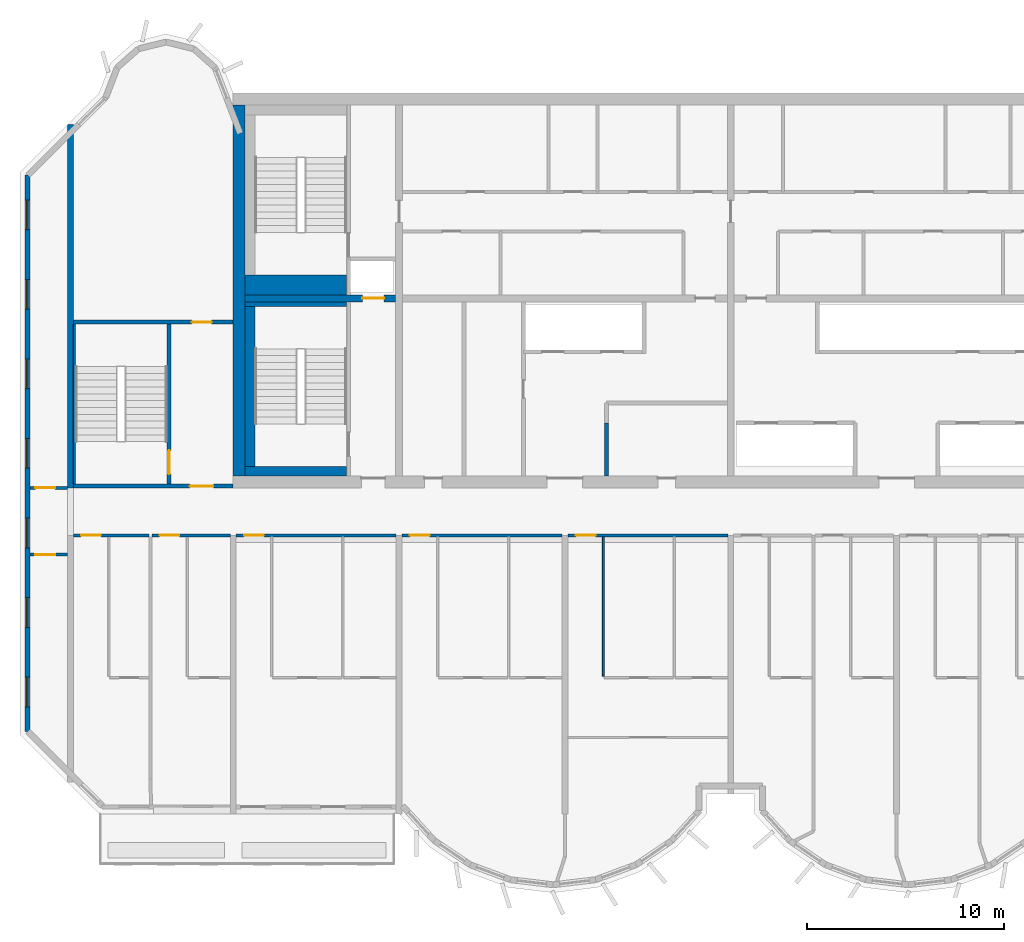
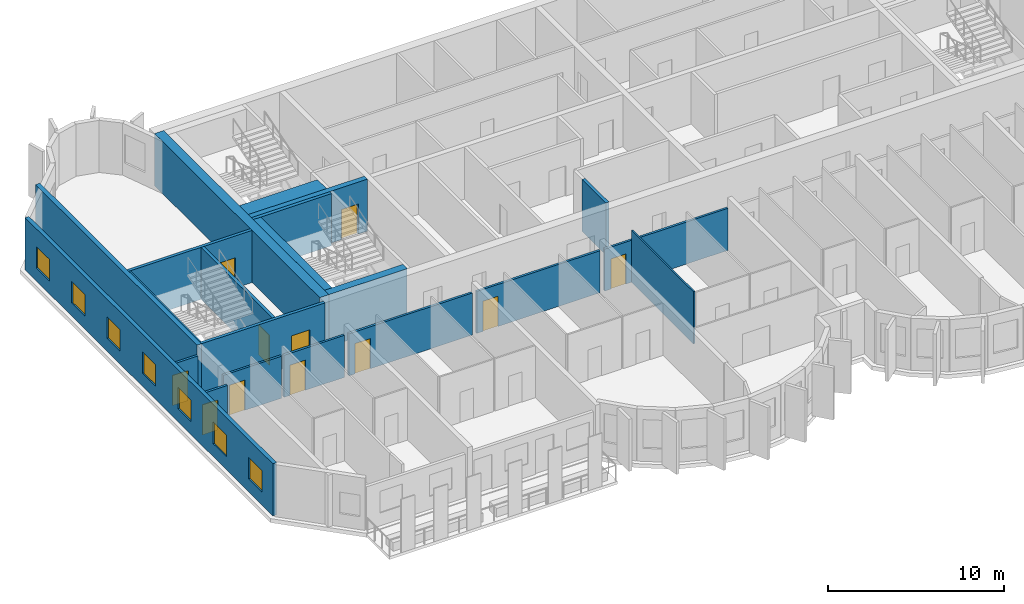
# One storey, part 3 of 12: 21 walls, 11 doors, 7 windows, 18 openings.
"""IFC4 building model written with IfcOpenShell, lengths in metres."""

from ifc_helpers import new_model, si_unit, direction, frame, frame_2d, origin, place, context, subcontext, project, spatial, rectangle, extrude, source, transform, mapped, material, layer, layer_set, type_object, element, fill, save


model = new_model("IFC4")

# Units and contexts
model_context = context("Model", 3, precision=1e-05, world=origin(), true_north=direction((0.0, 1.0)))
body_context = subcontext(model_context, "Body", "Model", "MODEL_VIEW")
ifc_project = project(units=[si_unit("LENGTHUNIT", "METRE"), si_unit("AREAUNIT", "SQUARE_METRE"), si_unit("VOLUMEUNIT", "CUBIC_METRE"), si_unit("PLANEANGLEUNIT", "RADIAN"), si_unit("MASSUNIT", "GRAM", prefix="KILO")], contexts=[model_context])

# Site, building, storey
site_placement = place(None, origin())
site = spatial("IfcSite", under=ifc_project, at=site_placement, CompositionType="ELEMENT")
building_placement = place(site_placement, origin())
building = spatial("IfcBuilding", under=site, at=building_placement, Name="Vanashikhar Sky Hotel", CompositionType="ELEMENT")
storey_placement = place(building_placement, frame((0.0, 0.0, 221.800048828125)))
storey = spatial("IfcBuildingStorey", under=building, at=storey_placement, Name="L53", CompositionType="ELEMENT", Elevation=221.800048828125)

# Wall
ifc_material_1 = material(Name="Concrete M60", Category="concrete")
ifc_layer_1 = layer(ifc_material_1, 0.60009765625)
ifc_layer_set_1 = layer_set([ifc_layer_1], Name="RC core shell wall 600 Concrete M60")
wall_type_1 = type_object("IfcWallType", Name="RC core shell wall 600 Concrete M60", PredefinedType="SHEAR", material=ifc_layer_set_1)
shared_shape_1 = source(origin(), body_context, "Body", "SweptSolid", [
    extrude(rectangle(XDim=18.7998046875, YDim=0.60009765625, at=frame_2d((9.39990234375, 0.0))), origin(), (0.0, 0.0, 1.0), 3.619873046875),
])
wall_1_placement = place(storey_placement, frame((25.5, 22.60009765625, 0.0), z_axis=(0.0, 0.0, 1.0), x_axis=(0.0, 1.0, 0.0)))
element("IfcWall", 1, at=wall_1_placement, inside=storey, type_object=wall_type_1, Name="KW-L53-KW", PredefinedType="SHEAR", context=body_context, shape_type="MappedRepresentation", body=[
    mapped(shared_shape_1, transform((0.0, 0.0, 0.0), scale=1.0)),
])

# Wall, opening, door
ifc_layer_2 = layer(ifc_material_1, 0.35009765625)
ifc_layer_set_2 = layer_set([ifc_layer_2], Name="RC core inner wall 350 Concrete M60")
wall_type_2 = type_object("IfcWallType", Name="RC core inner wall 350 Concrete M60", PredefinedType="SHEAR", material=ifc_layer_set_2)
shared_shape_2 = source(origin(), body_context, "Body", "SweptSolid", [
    extrude(rectangle(XDim=7.625, YDim=0.35009765625, at=frame_2d((3.8125, 0.0))), origin(), (0.0, 0.0, 1.0), 3.619873046875),
])
wall_2_placement = place(storey_placement, frame((25.800048828125, 31.60009765625, 0.0), z_axis=(0.0, 0.0, 1.0), x_axis=(1.0, 0.0, 0.0)))
wall_2 = element("IfcWall", 2, at=wall_2_placement, inside=storey, type_object=wall_type_2, Name="KW-L53-KY1", PredefinedType="SHEAR", context=body_context, shape_type="MappedRepresentation", body=[
    mapped(shared_shape_2, transform((0.0, 0.0, 0.0), scale=1.0)),
])
shared_shape_3 = source(origin(), body_context, "Body", "SweptSolid", [
    extrude(rectangle(XDim=1.10009765625, YDim=2.10009765625, at=frame_2d((0.550048828125, 1.050048828125))), frame((0.0, 0.18505859375, 0.0), z_axis=(0.0, -1.0, 0.0), x_axis=(1.0, 0.0, 0.0)), (0.0, 0.0, 1.0), 0.3701171875),
])
opening_1_placement = place(wall_2_placement, frame((5.93798828125, 0.0, 0.0)))
opening_1 = element("IfcOpeningElement", 3, at=opening_1_placement, cuts=wall_2, Name="Opening LD", PredefinedType="OPENING", context=body_context, shape_type="MappedRepresentation", body=[
    mapped(shared_shape_3, transform((0.0, 0.0, 0.0), scale=1.0)),
])
ifc_material_2 = material(Name="Stainless steel", Category="steel")
door_type_1 = type_object("IfcDoorType", Name="Lift landing door 1100", OperationType="NOTDEFINED", PredefinedType="DOOR", material=ifc_material_2)
shared_shape_4 = source(origin(), body_context, "Body", "SweptSolid", [
    extrude(rectangle(XDim=1.10009765625, YDim=2.10009765625, at=frame_2d((0.550048828125, 1.050048828125))), frame((0.0, 0.02490234375, 0.0), z_axis=(0.0, -1.0, 0.0), x_axis=(1.0, 0.0, 0.0)), (0.0, 0.0, 1.0), 0.050048828125),
])
door_1_placement = place(opening_1_placement, origin())
door_1 = element("IfcDoor", 4, at=door_1_placement, inside=storey, type_object=door_type_1, Name="Lift landing door 1100", OperationType="SLIDING_TO_LEFT", OverallHeight=2.10009765625, OverallWidth=1.10009765625, PredefinedType="DOOR", context=body_context, shape_type="MappedRepresentation", body=[
    mapped(shared_shape_4, transform((0.0, 0.0, 0.0), scale=1.0)),
])
fill(opening_1, door_1)

# Wall
ifc_layer_3 = layer(ifc_material_1, 0.300048828125)
ifc_layer_set_3 = layer_set([ifc_layer_3], Name="RC shear wall 300 Concrete M60")
wall_type_3 = type_object("IfcWallType", Name="RC shear wall 300 Concrete M60", PredefinedType="SHEAR", material=ifc_layer_set_3)
shared_shape_5 = source(origin(), body_context, "Body", "SweptSolid", [
    extrude(rectangle(XDim=18.39990234375, YDim=0.300048828125, at=frame_2d((9.199951171875, 0.0))), origin(), (0.0, 0.0, 1.0), 3.619873046875),
])
wall_3_placement = place(storey_placement, frame((16.949951171875, 22.0, 0.0), z_axis=(0.0, 0.0, 1.0), x_axis=(0.0, 1.0, 0.0)))
element("IfcWall", 5, at=wall_3_placement, inside=storey, type_object=wall_type_3, Name="CW-L53-XW03-2", PredefinedType="SHEAR", context=body_context, shape_type="MappedRepresentation", body=[
    mapped(shared_shape_5, transform((0.0, 0.0, 0.0), scale=1.0)),
])

# Wall, openings, windows
ifc_material_3 = material(Name="Concrete M50", Category="concrete")
ifc_layer_4 = layer(ifc_material_3, 0.25)
ifc_layer_set_4 = layer_set([ifc_layer_4], Name="Rear and end board-marked wall 250")
wall_type_4 = type_object("IfcWallType", Name="Rear and end board-marked wall 250", PredefinedType="SOLIDWALL", material=ifc_layer_set_4)
shared_shape_6 = source(origin(), body_context, "Body", "SweptSolid", [
    extrude(rectangle(XDim=28.189453125, YDim=0.25, at=frame_2d((14.0947265625, 0.0))), origin(), (0.0, 0.0, 1.0), 3.619873046875),
])
wall_4_placement = place(storey_placement, frame((14.77490234375, 37.8447265625, 0.0), z_axis=(0.0, 0.0, 1.0), x_axis=(0.0, -1.0, 0.0)))
wall_4 = element("IfcWall", 6, at=wall_4_placement, inside=storey, type_object=wall_type_4, Name="End board-marked wall", PredefinedType="SOLIDWALL", context=body_context, shape_type="MappedRepresentation", body=[
    mapped(shared_shape_6, transform((0.0, 0.0, 0.0), scale=1.0)),
])
shared_shape_7 = source(origin(), body_context, "Body", "SweptSolid", [
    extrude(rectangle(XDim=1.5, YDim=1.5, at=frame_2d((0.75, 0.75))), frame((0.0, 0.135009765625, 0.0), z_axis=(0.0, -1.0, 0.0), x_axis=(1.0, 0.0, 0.0)), (0.0, 0.0, 1.0), 0.27001953125),
])
opening_2_placement = place(wall_4_placement, frame((1.263427734375, 0.0, 0.89990234375)))
opening_2 = element("IfcOpeningElement", 7, at=opening_2_placement, cuts=wall_4, Name="Opening WN-1", PredefinedType="OPENING", context=body_context, shape_type="MappedRepresentation", body=[
    mapped(shared_shape_7, transform((0.0, 0.0, 0.0), scale=1.0)),
])
opening_3_placement = place(wall_4_placement, frame((5.29052734375, 0.0, 0.89990234375)))
opening_3 = element("IfcOpeningElement", 8, at=opening_3_placement, cuts=wall_4, Name="Opening WN-1", PredefinedType="OPENING", context=body_context, shape_type="MappedRepresentation", body=[
    mapped(shared_shape_7, transform((0.0, 0.0, 0.0), scale=1.0)),
])
opening_4_placement = place(wall_4_placement, frame((9.317626953125, 0.0, 0.89990234375)))
opening_4 = element("IfcOpeningElement", 9, at=opening_4_placement, cuts=wall_4, Name="Opening WN-1", PredefinedType="OPENING", context=body_context, shape_type="MappedRepresentation", body=[
    mapped(shared_shape_7, transform((0.0, 0.0, 0.0), scale=1.0)),
])
opening_5_placement = place(wall_4_placement, frame((13.3447265625, 0.0, 0.89990234375)))
opening_5 = element("IfcOpeningElement", 10, at=opening_5_placement, cuts=wall_4, Name="Opening WN-1", PredefinedType="OPENING", context=body_context, shape_type="MappedRepresentation", body=[
    mapped(shared_shape_7, transform((0.0, 0.0, 0.0), scale=1.0)),
])
opening_6_placement = place(wall_4_placement, frame((17.371826171875, 0.0, 0.89990234375)))
opening_6 = element("IfcOpeningElement", 11, at=opening_6_placement, cuts=wall_4, Name="Opening WN-1", PredefinedType="OPENING", context=body_context, shape_type="MappedRepresentation", body=[
    mapped(shared_shape_7, transform((0.0, 0.0, 0.0), scale=1.0)),
])
opening_7_placement = place(wall_4_placement, frame((21.398681640625, 0.0, 0.89990234375)))
opening_7 = element("IfcOpeningElement", 12, at=opening_7_placement, cuts=wall_4, Name="Opening WN-1", PredefinedType="OPENING", context=body_context, shape_type="MappedRepresentation", body=[
    mapped(shared_shape_7, transform((0.0, 0.0, 0.0), scale=1.0)),
])
opening_8_placement = place(wall_4_placement, frame((25.42578125, 0.0, 0.89990234375)))
opening_8 = element("IfcOpeningElement", 13, at=opening_8_placement, cuts=wall_4, Name="Opening WN-1", PredefinedType="OPENING", context=body_context, shape_type="MappedRepresentation", body=[
    mapped(shared_shape_7, transform((0.0, 0.0, 0.0), scale=1.0)),
])
ifc_material_4 = material(Name="Glass", Category="glass")
window_type = type_object("IfcWindowType", Name="Window 1500 x 1500", PartitioningType="SINGLE_PANEL", PredefinedType="WINDOW", material=ifc_material_4)
shared_shape_8 = source(origin(), body_context, "Body", "SweptSolid", [
    extrude(rectangle(XDim=1.5, YDim=1.5, at=frame_2d((0.75, 0.75))), frame((0.0, 0.030029296875, 0.0), z_axis=(0.0, -1.0, 0.0), x_axis=(1.0, 0.0, 0.0)), (0.0, 0.0, 1.0), 0.06005859375),
])
window_1_placement = place(opening_2_placement, origin())
window_1 = element("IfcWindow", 14, at=window_1_placement, inside=storey, type_object=window_type, Name="Window WN-1", OverallHeight=1.5, OverallWidth=1.5, PartitioningType="SINGLE_PANEL", PredefinedType="WINDOW", context=body_context, shape_type="MappedRepresentation", body=[
    mapped(shared_shape_8, transform((0.0, 0.0, 0.0), scale=1.0)),
])
fill(opening_2, window_1)
window_2_placement = place(opening_3_placement, origin())
window_2 = element("IfcWindow", 15, at=window_2_placement, inside=storey, type_object=window_type, Name="Window WN-1", OverallHeight=1.5, OverallWidth=1.5, PartitioningType="SINGLE_PANEL", PredefinedType="WINDOW", context=body_context, shape_type="MappedRepresentation", body=[
    mapped(shared_shape_8, transform((0.0, 0.0, 0.0), scale=1.0)),
])
fill(opening_3, window_2)
window_3_placement = place(opening_4_placement, origin())
window_3 = element("IfcWindow", 16, at=window_3_placement, inside=storey, type_object=window_type, Name="Window WN-1", OverallHeight=1.5, OverallWidth=1.5, PartitioningType="SINGLE_PANEL", PredefinedType="WINDOW", context=body_context, shape_type="MappedRepresentation", body=[
    mapped(shared_shape_8, transform((0.0, 0.0, 0.0), scale=1.0)),
])
fill(opening_4, window_3)
window_4_placement = place(opening_5_placement, origin())
window_4 = element("IfcWindow", 17, at=window_4_placement, inside=storey, type_object=window_type, Name="Window WN-1", OverallHeight=1.5, OverallWidth=1.5, PartitioningType="SINGLE_PANEL", PredefinedType="WINDOW", context=body_context, shape_type="MappedRepresentation", body=[
    mapped(shared_shape_8, transform((0.0, 0.0, 0.0), scale=1.0)),
])
fill(opening_5, window_4)
window_5_placement = place(opening_6_placement, origin())
window_5 = element("IfcWindow", 18, at=window_5_placement, inside=storey, type_object=window_type, Name="Window WN-1", OverallHeight=1.5, OverallWidth=1.5, PartitioningType="SINGLE_PANEL", PredefinedType="WINDOW", context=body_context, shape_type="MappedRepresentation", body=[
    mapped(shared_shape_8, transform((0.0, 0.0, 0.0), scale=1.0)),
])
fill(opening_6, window_5)
window_6_placement = place(opening_7_placement, origin())
window_6 = element("IfcWindow", 19, at=window_6_placement, inside=storey, type_object=window_type, Name="Window WN-1", OverallHeight=1.5, OverallWidth=1.5, PartitioningType="SINGLE_PANEL", PredefinedType="WINDOW", context=body_context, shape_type="MappedRepresentation", body=[
    mapped(shared_shape_8, transform((0.0, 0.0, 0.0), scale=1.0)),
])
fill(opening_7, window_6)
window_7_placement = place(opening_8_placement, origin())
window_7 = element("IfcWindow", 20, at=window_7_placement, inside=storey, type_object=window_type, Name="Window WN-1", OverallHeight=1.5, OverallWidth=1.5, PartitioningType="SINGLE_PANEL", PredefinedType="WINDOW", context=body_context, shape_type="MappedRepresentation", body=[
    mapped(shared_shape_8, transform((0.0, 0.0, 0.0), scale=1.0)),
])
fill(opening_8, window_7)

# Wall
ifc_material_5 = material(Name="Gypsum board partition")
ifc_layer_5 = layer(ifc_material_5, 0.14990234375)
ifc_layer_set_5 = layer_set([ifc_layer_5], Name="Service partition 150")
wall_type_5 = type_object("IfcWallType", Name="Service partition 150", PredefinedType="PARTITIONING", material=ifc_layer_set_5)
shared_shape_9 = source(origin(), body_context, "Body", "SweptSolid", [
    extrude(rectangle(XDim=2.699951171875, YDim=0.199951171875, at=frame_2d((1.35009765625, 0.0))), origin(), (0.0, 0.0, 1.0), 3.619873046875),
])
wall_5_placement = place(storey_placement, frame((44.10009765625, 22.60009765625, 0.0), z_axis=(0.0, 0.0, 1.0), x_axis=(0.0, 1.0, 0.0)))
element("IfcWall", 21, at=wall_5_placement, inside=storey, type_object=wall_type_5, Name="Service partition 150", PredefinedType="PARTITIONING", context=body_context, shape_type="MappedRepresentation", body=[
    mapped(shared_shape_9, transform((0.0, 0.0, 0.0), scale=1.0)),
])

# Wall, opening, door
ifc_layer_6 = layer(ifc_material_3, 0.199951171875)
ifc_layer_set_6 = layer_set([ifc_layer_6], Name="Stair wall 200")
wall_type_6 = type_object("IfcWallType", Name="Stair wall 200", PredefinedType="SOLIDWALL", material=ifc_layer_set_6)
shared_shape_10 = source(origin(), body_context, "Body", "SweptSolid", [
    extrude(rectangle(XDim=8.2998046875, YDim=0.199951171875, at=frame_2d((4.14990234375, 0.0))), origin(), (0.0, 0.0, 1.0), 3.619873046875),
])
wall_6_placement = place(storey_placement, frame((21.949951171875, 22.10009765625, 0.0), z_axis=(0.0, 0.0, 1.0), x_axis=(0.0, 1.0, 0.0)))
wall_6 = element("IfcWall", 22, at=wall_6_placement, inside=storey, type_object=wall_type_6, Name="Stair wall 200", PredefinedType="SOLIDWALL", context=body_context, shape_type="MappedRepresentation", body=[
    mapped(shared_shape_10, transform((0.0, 0.0, 0.0), scale=1.0)),
])
shared_shape_11 = source(origin(), body_context, "Body", "SweptSolid", [
    extrude(rectangle(XDim=1.199951171875, YDim=2.10009765625, at=frame_2d((0.60009765625, 1.050048828125))), frame((0.0, 0.10986328125, 0.0), z_axis=(0.0, -1.0, 0.0), x_axis=(1.0, 0.0, 0.0)), (0.0, 0.0, 1.0), 0.219970703125),
])
opening_9_placement = place(wall_6_placement, frame((0.60009765625, 0.0, 0.0)))
opening_9 = element("IfcOpeningElement", 23, at=opening_9_placement, cuts=wall_6, Name="Opening DC-1", PredefinedType="OPENING", context=body_context, shape_type="MappedRepresentation", body=[
    mapped(shared_shape_11, transform((0.0, 0.0, 0.0), scale=1.0)),
])
ifc_material_6 = material(Name="Steel", Category="steel")
door_type_2 = type_object("IfcDoorType", Name="Stair door 1200 FD120", OperationType="NOTDEFINED", PredefinedType="DOOR", material=ifc_material_6)
shared_shape_12 = source(origin(), body_context, "Body", "SweptSolid", [
    extrude(rectangle(XDim=1.199951171875, YDim=2.10009765625, at=frame_2d((0.60009765625, 1.050048828125))), frame((0.0, 0.02490234375, 0.0), z_axis=(0.0, -1.0, 0.0), x_axis=(1.0, 0.0, 0.0)), (0.0, 0.0, 1.0), 0.050048828125),
])
door_2_placement = place(opening_9_placement, origin())
door_2 = element("IfcDoor", 24, at=door_2_placement, inside=storey, type_object=door_type_2, Name="Stair door 1200 FD120", OperationType="SINGLE_SWING_RIGHT", OverallHeight=2.10009765625, OverallWidth=1.199951171875, PredefinedType="DOOR", context=body_context, shape_type="MappedRepresentation", body=[
    mapped(shared_shape_12, transform((0.0, 0.0, 0.0), scale=1.0)),
])
fill(opening_9, door_2)

shared_shape_13 = source(origin(), body_context, "Body", "SweptSolid", [
    extrude(rectangle(XDim=8.099853515625, YDim=0.199951171875, at=frame_2d((4.0498046875, 0.0))), origin(), (0.0, 0.0, 1.0), 3.619873046875),
])
wall_7_placement = place(storey_placement, frame((17.10009765625, 22.10009765625, 0.0), z_axis=(0.0, 0.0, 1.0), x_axis=(1.0, 0.0, 0.0)))
wall_7 = element("IfcWall", 25, at=wall_7_placement, inside=storey, type_object=wall_type_6, Name="Stair wall 200", PredefinedType="SOLIDWALL", context=body_context, shape_type="MappedRepresentation", body=[
    mapped(shared_shape_13, transform((0.0, 0.0, 0.0), scale=1.0)),
])
opening_10_placement = place(wall_7_placement, frame((5.89990234375, 0.0, 0.0)))
opening_10 = element("IfcOpeningElement", 26, at=opening_10_placement, cuts=wall_7, Name="Opening DC-2", PredefinedType="OPENING", context=body_context, shape_type="MappedRepresentation", body=[
    mapped(shared_shape_11, transform((0.0, 0.0, 0.0), scale=1.0)),
])
door_type_3 = type_object("IfcDoorType", Name="Firefighting lobby door 1200 FD120", OperationType="NOTDEFINED", PredefinedType="DOOR", material=ifc_material_6)
door_3_placement = place(opening_10_placement, origin())
door_3 = element("IfcDoor", 27, at=door_3_placement, inside=storey, type_object=door_type_3, Name="Firefighting lobby door 1200 FD120", OperationType="SINGLE_SWING_LEFT", OverallHeight=2.10009765625, OverallWidth=1.199951171875, PredefinedType="DOOR", context=body_context, shape_type="MappedRepresentation", body=[
    mapped(shared_shape_12, transform((0.0, 0.0, 0.0), scale=1.0)),
])
fill(opening_10, door_3)

wall_8_placement = place(storey_placement, frame((17.10009765625, 30.39990234375, 0.0), z_axis=(0.0, 0.0, 1.0), x_axis=(1.0, 0.0, 0.0)))
wall_8 = element("IfcWall", 28, at=wall_8_placement, inside=storey, type_object=wall_type_6, Name="Stair wall 200", PredefinedType="SOLIDWALL", context=body_context, shape_type="MappedRepresentation", body=[
    mapped(shared_shape_13, transform((0.0, 0.0, 0.0), scale=1.0)),
])
shared_shape_14 = source(origin(), body_context, "Body", "SweptSolid", [
    extrude(rectangle(XDim=1.0, YDim=2.10009765625, at=frame_2d((0.5, 1.050048828125))), frame((0.0, 0.10986328125, 0.0), z_axis=(0.0, -1.0, 0.0), x_axis=(1.0, 0.0, 0.0)), (0.0, 0.0, 1.0), 0.219970703125),
])
opening_11_placement = place(wall_8_placement, frame((6.0, 0.0, 0.0)))
opening_11 = element("IfcOpeningElement", 29, at=opening_11_placement, cuts=wall_8, Name="Opening DC-6", PredefinedType="OPENING", context=body_context, shape_type="MappedRepresentation", body=[
    mapped(shared_shape_14, transform((0.0, 0.0, 0.0), scale=1.0)),
])
door_type_4 = type_object("IfcDoorType", Name="Pocket door 1000 FD60", OperationType="NOTDEFINED", PredefinedType="DOOR", material=ifc_material_6)
shared_shape_15 = source(origin(), body_context, "Body", "SweptSolid", [
    extrude(rectangle(XDim=1.0, YDim=2.10009765625, at=frame_2d((0.5, 1.050048828125))), frame((0.0, 0.02490234375, 0.0), z_axis=(0.0, -1.0, 0.0), x_axis=(1.0, 0.0, 0.0)), (0.0, 0.0, 1.0), 0.050048828125),
])
door_4_placement = place(opening_11_placement, origin())
door_4 = element("IfcDoor", 30, at=door_4_placement, inside=storey, type_object=door_type_4, Name="Pocket door 1000 FD60", OperationType="SINGLE_SWING_LEFT", OverallHeight=2.10009765625, OverallWidth=1.0, PredefinedType="DOOR", context=body_context, shape_type="MappedRepresentation", body=[
    mapped(shared_shape_15, transform((0.0, 0.0, 0.0), scale=1.0)),
])
fill(opening_11, door_4)

# Walls
ifc_layer_7 = layer(ifc_material_3, 0.5)
ifc_layer_set_7 = layer_set([ifc_layer_7], Name="Stair infill wall 500")
wall_type_7 = type_object("IfcWallType", Name="Stair infill wall 500", PredefinedType="SOLIDWALL", material=ifc_layer_set_7)
shared_shape_16 = source(origin(), body_context, "Body", "SweptSolid", [
    extrude(rectangle(XDim=5.14990234375, YDim=0.5, at=frame_2d((2.574951171875, 0.0))), origin(), (0.0, 0.0, 1.0), 3.619873046875),
])
wall_9_placement = place(storey_placement, frame((25.800048828125, 22.85009765625, 0.0), z_axis=(0.0, 0.0, 1.0), x_axis=(1.0, 0.0, 0.0)))
element("IfcWall", 31, at=wall_9_placement, inside=storey, type_object=wall_type_7, Name="Stair infill wall 500", PredefinedType="SOLIDWALL", context=body_context, shape_type="MappedRepresentation", body=[
    mapped(shared_shape_16, transform((0.0, 0.0, 0.0), scale=1.0)),
])
ifc_layer_8 = layer(ifc_material_3, 0.22509765625)
ifc_layer_set_8 = layer_set([ifc_layer_8], Name="Stair infill wall 225")
wall_type_8 = type_object("IfcWallType", Name="Stair infill wall 225", PredefinedType="SOLIDWALL", material=ifc_layer_set_8)
shared_shape_17 = source(origin(), body_context, "Body", "SweptSolid", [
    extrude(rectangle(XDim=5.14990234375, YDim=0.22509765625, at=frame_2d((2.574951171875, 0.0))), origin(), (0.0, 0.0, 1.0), 3.619873046875),
])
wall_10_placement = place(storey_placement, frame((25.800048828125, 31.31201171875, 0.0), z_axis=(0.0, 0.0, 1.0), x_axis=(1.0, 0.0, 0.0)))
element("IfcWall", 32, at=wall_10_placement, inside=storey, type_object=wall_type_8, Name="Stair infill wall 225", PredefinedType="SOLIDWALL", context=body_context, shape_type="MappedRepresentation", body=[
    mapped(shared_shape_17, transform((0.0, 0.0, 0.0), scale=1.0)),
])
shared_shape_18 = source(origin(), body_context, "Body", "SweptSolid", [
    extrude(rectangle(XDim=8.099853515625, YDim=0.5, at=frame_2d((4.0498046875, 0.0))), origin(), (0.0, 0.0, 1.0), 3.619873046875),
])
wall_11_placement = place(storey_placement, frame((26.050048828125, 23.10009765625, 0.0), z_axis=(0.0, 0.0, 1.0), x_axis=(0.0, 1.0, 0.0)))
element("IfcWall", 33, at=wall_11_placement, inside=storey, type_object=wall_type_7, Name="Stair infill wall 500", PredefinedType="SOLIDWALL", context=body_context, shape_type="MappedRepresentation", body=[
    mapped(shared_shape_18, transform((0.0, 0.0, 0.0), scale=1.0)),
])
ifc_layer_9 = layer(ifc_material_3, 0.10009765625)
ifc_layer_set_9 = layer_set([ifc_layer_9], Name="Stair infill wall 100")
wall_type_9 = type_object("IfcWallType", Name="Stair infill wall 100", PredefinedType="SOLIDWALL", material=ifc_layer_set_9)
shared_shape_19 = source(origin(), body_context, "Body", "SweptSolid", [
    extrude(rectangle(XDim=8.10009765625, YDim=0.10009765625, at=frame_2d((4.050048828125, 0.0))), origin(), (0.0, 0.0, 1.0), 3.619873046875),
])
wall_12_placement = place(storey_placement, frame((17.14990234375, 22.199951171875, 0.0), z_axis=(0.0, 0.0, 1.0), x_axis=(0.0, 1.0, 0.0)))
element("IfcWall", 34, at=wall_12_placement, inside=storey, type_object=wall_type_9, Name="Stair infill wall 100", PredefinedType="SOLIDWALL", context=body_context, shape_type="MappedRepresentation", body=[
    mapped(shared_shape_19, transform((0.0, 0.0, 0.0), scale=1.0)),
])
ifc_layer_10 = layer(ifc_material_3, 1.02490234375)
ifc_layer_set_10 = layer_set([ifc_layer_10], Name="Stair infill wall 1025")
wall_type_10 = type_object("IfcWallType", Name="Stair infill wall 1025", PredefinedType="SOLIDWALL", material=ifc_layer_set_10)
shared_shape_20 = source(origin(), body_context, "Body", "SweptSolid", [
    extrude(rectangle(XDim=5.14990234375, YDim=1.02490234375, at=frame_2d((2.574951171875, 0.0))), origin(), (0.0, 0.0, 1.0), 3.619873046875),
])
wall_13_placement = place(storey_placement, frame((25.800048828125, 32.287109375, 0.0), z_axis=(0.0, 0.0, 1.0), x_axis=(1.0, 0.0, 0.0)))
element("IfcWall", 35, at=wall_13_placement, inside=storey, type_object=wall_type_10, Name="Stair infill wall 1025", PredefinedType="SOLIDWALL", context=body_context, shape_type="MappedRepresentation", body=[
    mapped(shared_shape_20, transform((0.0, 0.0, 0.0), scale=1.0)),
])

# Wall, opening, door
ifc_material_7 = material(Name="Gypsum plasterboard partition")
ifc_layer_11 = layer(ifc_material_7, 0.14990234375)
ifc_layer_set_11 = layer_set([ifc_layer_11], Name="Corridor and demising partition 150")
wall_type_11 = type_object("IfcWallType", Name="Corridor and demising partition 150", PredefinedType="PARTITIONING", material=ifc_layer_set_11)
shared_shape_21 = source(origin(), body_context, "Body", "SweptSolid", [
    extrude(rectangle(XDim=3.824951171875, YDim=0.14990234375, at=frame_2d((1.91259765625, 0.0))), origin(), (0.0, 0.0, 1.0), 2.919921875),
])
wall_14_placement = place(storey_placement, frame((17.10009765625, 19.60009765625, 0.0), z_axis=(0.0, 0.0, 1.0), x_axis=(1.0, 0.0, 0.0)))
wall_14 = element("IfcWall", 36, at=wall_14_placement, inside=storey, type_object=wall_type_11, Name="W-L53-PW003", PredefinedType="PARTITIONING", context=body_context, shape_type="MappedRepresentation", body=[
    mapped(shared_shape_21, transform((0.0, 0.0, 0.0), scale=1.0)),
])
shared_shape_22 = source(origin(), body_context, "Body", "SweptSolid", [
    extrude(rectangle(XDim=1.0, YDim=2.10009765625, at=frame_2d((0.5, 1.050048828125))), frame((0.0, 0.0849609375, 0.0), z_axis=(0.0, -1.0, 0.0), x_axis=(1.0, 0.0, 0.0)), (0.0, 0.0, 1.0), 0.169921875),
])
opening_12_placement = place(wall_14_placement, frame((0.39990234375, 0.0, 0.0)))
opening_12 = element("IfcOpeningElement", 37, at=opening_12_placement, cuts=wall_14, Name="Opening D-01", PredefinedType="OPENING", context=body_context, shape_type="MappedRepresentation", body=[
    mapped(shared_shape_22, transform((0.0, 0.0, 0.0), scale=1.0)),
])
ifc_material_8 = material(Name="Timber fire door", Category="wood")
door_type_5 = type_object("IfcDoorType", Name="Guest entry door 1000 FD30S", OperationType="NOTDEFINED", PredefinedType="DOOR", material=ifc_material_8)
door_5_placement = place(opening_12_placement, origin())
door_5 = element("IfcDoor", 38, at=door_5_placement, inside=storey, type_object=door_type_5, Name="D-L53-002", OperationType="SINGLE_SWING_LEFT", OverallHeight=2.10009765625, OverallWidth=1.0, PredefinedType="DOOR", context=body_context, shape_type="MappedRepresentation", body=[
    mapped(shared_shape_15, transform((0.0, 0.0, 0.0), scale=1.0)),
])
fill(opening_12, door_5)

shared_shape_23 = source(origin(), body_context, "Body", "SweptSolid", [
    extrude(rectangle(XDim=3.97509765625, YDim=0.14990234375, at=frame_2d((1.987548828125, 0.0))), origin(), (0.0, 0.0, 1.0), 2.919921875),
])
wall_15_placement = place(storey_placement, frame((21.074951171875, 19.60009765625, 0.0), z_axis=(0.0, 0.0, 1.0), x_axis=(1.0, 0.0, 0.0)))
wall_15 = element("IfcWall", 39, at=wall_15_placement, inside=storey, type_object=wall_type_11, Name="W-L53-PW006", PredefinedType="PARTITIONING", context=body_context, shape_type="MappedRepresentation", body=[
    mapped(shared_shape_23, transform((0.0, 0.0, 0.0), scale=1.0)),
])
opening_13_placement = place(wall_15_placement, frame((0.39990234375, 0.0, 0.0)))
opening_13 = element("IfcOpeningElement", 40, at=opening_13_placement, cuts=wall_15, Name="Opening D-01", PredefinedType="OPENING", context=body_context, shape_type="MappedRepresentation", body=[
    mapped(shared_shape_22, transform((0.0, 0.0, 0.0), scale=1.0)),
])
door_6_placement = place(opening_13_placement, origin())
door_6 = element("IfcDoor", 41, at=door_6_placement, inside=storey, type_object=door_type_5, Name="D-L53-004", OperationType="SINGLE_SWING_LEFT", OverallHeight=2.10009765625, OverallWidth=1.0, PredefinedType="DOOR", context=body_context, shape_type="MappedRepresentation", body=[
    mapped(shared_shape_15, transform((0.0, 0.0, 0.0), scale=1.0)),
])
fill(opening_13, door_6)

shared_shape_24 = source(origin(), body_context, "Body", "SweptSolid", [
    extrude(rectangle(XDim=8.099853515625, YDim=0.14990234375, at=frame_2d((4.0498046875, 0.0))), origin(), (0.0, 0.0, 1.0), 2.919921875),
])
wall_16_placement = place(storey_placement, frame((25.35009765625, 19.60009765625, 0.0), z_axis=(0.0, 0.0, 1.0), x_axis=(1.0, 0.0, 0.0)))
wall_16 = element("IfcWall", 42, at=wall_16_placement, inside=storey, type_object=wall_type_11, Name="W-L53-PW012", PredefinedType="PARTITIONING", context=body_context, shape_type="MappedRepresentation", body=[
    mapped(shared_shape_24, transform((0.0, 0.0, 0.0), scale=1.0)),
])
opening_14_placement = place(wall_16_placement, frame((0.39990234375, 0.0, 0.0)))
opening_14 = element("IfcOpeningElement", 43, at=opening_14_placement, cuts=wall_16, Name="Opening D-01", PredefinedType="OPENING", context=body_context, shape_type="MappedRepresentation", body=[
    mapped(shared_shape_22, transform((0.0, 0.0, 0.0), scale=1.0)),
])
door_7_placement = place(opening_14_placement, origin())
door_7 = element("IfcDoor", 44, at=door_7_placement, inside=storey, type_object=door_type_5, Name="D-L53-007", OperationType="SINGLE_SWING_LEFT", OverallHeight=2.10009765625, OverallWidth=1.0, PredefinedType="DOOR", context=body_context, shape_type="MappedRepresentation", body=[
    mapped(shared_shape_15, transform((0.0, 0.0, 0.0), scale=1.0)),
])
fill(opening_14, door_7)

shared_shape_25 = source(origin(), body_context, "Body", "SweptSolid", [
    extrude(rectangle(XDim=8.10009765625, YDim=0.14990234375, at=frame_2d((4.050048828125, 0.0))), origin(), (0.0, 0.0, 1.0), 2.919921875),
])
wall_17_placement = place(storey_placement, frame((33.75, 19.60009765625, 0.0), z_axis=(0.0, 0.0, 1.0), x_axis=(1.0, 0.0, 0.0)))
wall_17 = element("IfcWall", 45, at=wall_17_placement, inside=storey, type_object=wall_type_11, Name="W-L53-PW017", PredefinedType="PARTITIONING", context=body_context, shape_type="MappedRepresentation", body=[
    mapped(shared_shape_25, transform((0.0, 0.0, 0.0), scale=1.0)),
])
opening_15_placement = place(wall_17_placement, frame((0.39990234375, 0.0, 0.0)))
opening_15 = element("IfcOpeningElement", 46, at=opening_15_placement, cuts=wall_17, Name="Opening D-01", PredefinedType="OPENING", context=body_context, shape_type="MappedRepresentation", body=[
    mapped(shared_shape_22, transform((0.0, 0.0, 0.0), scale=1.0)),
])
door_8_placement = place(opening_15_placement, origin())
door_8 = element("IfcDoor", 47, at=door_8_placement, inside=storey, type_object=door_type_5, Name="D-L53-010", OperationType="SINGLE_SWING_LEFT", OverallHeight=2.10009765625, OverallWidth=1.0, PredefinedType="DOOR", context=body_context, shape_type="MappedRepresentation", body=[
    mapped(shared_shape_15, transform((0.0, 0.0, 0.0), scale=1.0)),
])
fill(opening_15, door_8)

wall_18_placement = place(storey_placement, frame((42.14990234375, 19.60009765625, 0.0), z_axis=(0.0, 0.0, 1.0), x_axis=(1.0, 0.0, 0.0)))
wall_18 = element("IfcWall", 48, at=wall_18_placement, inside=storey, type_object=wall_type_11, Name="W-L53-PW023", PredefinedType="PARTITIONING", context=body_context, shape_type="MappedRepresentation", body=[
    mapped(shared_shape_25, transform((0.0, 0.0, 0.0), scale=1.0)),
])
opening_16_placement = place(wall_18_placement, frame((0.39990234375, 0.0, 0.0)))
opening_16 = element("IfcOpeningElement", 49, at=opening_16_placement, cuts=wall_18, Name="Opening D-01", PredefinedType="OPENING", context=body_context, shape_type="MappedRepresentation", body=[
    mapped(shared_shape_22, transform((0.0, 0.0, 0.0), scale=1.0)),
])
door_9_placement = place(opening_16_placement, origin())
door_9 = element("IfcDoor", 50, at=door_9_placement, inside=storey, type_object=door_type_5, Name="D-L53-014", OperationType="SINGLE_SWING_LEFT", OverallHeight=2.10009765625, OverallWidth=1.0, PredefinedType="DOOR", context=body_context, shape_type="MappedRepresentation", body=[
    mapped(shared_shape_15, transform((0.0, 0.0, 0.0), scale=1.0)),
])
fill(opening_16, door_9)

shared_shape_26 = source(origin(), body_context, "Body", "SweptSolid", [
    extrude(rectangle(XDim=1.900146484375, YDim=0.14990234375, at=frame_2d((0.9501953125, 0.0))), origin(), (0.0, 0.0, 1.0), 2.919921875),
])
wall_19_placement = place(storey_placement, frame((14.89990234375, 22.0, 0.0), z_axis=(0.0, 0.0, 1.0), x_axis=(1.0, 0.0, 0.0)))
wall_19 = element("IfcWall", 51, at=wall_19_placement, inside=storey, type_object=wall_type_11, Name="W-L53-PW052", PredefinedType="PARTITIONING", context=body_context, shape_type="MappedRepresentation", body=[
    mapped(shared_shape_26, transform((0.0, 0.0, 0.0), scale=1.0)),
])
opening_17_placement = place(wall_19_placement, frame((0.27490234375, 0.0, 0.0)))
opening_17 = element("IfcOpeningElement", 52, at=opening_17_placement, cuts=wall_19, Name="Opening D-01", PredefinedType="OPENING", context=body_context, shape_type="MappedRepresentation", body=[
    mapped(shared_shape_22, transform((0.0, 0.0, 0.0), scale=1.0)),
])
door_10_placement = place(opening_17_placement, origin())
door_10 = element("IfcDoor", 53, at=door_10_placement, inside=storey, type_object=door_type_5, Name="D-L53-030", OperationType="SINGLE_SWING_LEFT", OverallHeight=2.10009765625, OverallWidth=1.0, PredefinedType="DOOR", context=body_context, shape_type="MappedRepresentation", body=[
    mapped(shared_shape_15, transform((0.0, 0.0, 0.0), scale=1.0)),
])
fill(opening_17, door_10)

wall_20_placement = place(storey_placement, frame((14.89990234375, 18.6279296875, 0.0), z_axis=(0.0, 0.0, 1.0), x_axis=(1.0, 0.0, 0.0)))
wall_20 = element("IfcWall", 54, at=wall_20_placement, inside=storey, type_object=wall_type_11, Name="W-L53-PW053", PredefinedType="PARTITIONING", context=body_context, shape_type="MappedRepresentation", body=[
    mapped(shared_shape_26, transform((0.0, 0.0, 0.0), scale=1.0)),
])
opening_18_placement = place(wall_20_placement, frame((0.27490234375, 0.0, 0.0)))
opening_18 = element("IfcOpeningElement", 55, at=opening_18_placement, cuts=wall_20, Name="Opening D-01", PredefinedType="OPENING", context=body_context, shape_type="MappedRepresentation", body=[
    mapped(shared_shape_22, transform((0.0, 0.0, 0.0), scale=1.0)),
])
door_11_placement = place(opening_18_placement, origin())
door_11 = element("IfcDoor", 56, at=door_11_placement, inside=storey, type_object=door_type_5, Name="D-L53-031", OperationType="SINGLE_SWING_LEFT", OverallHeight=2.10009765625, OverallWidth=1.0, PredefinedType="DOOR", context=body_context, shape_type="MappedRepresentation", body=[
    mapped(shared_shape_15, transform((0.0, 0.0, 0.0), scale=1.0)),
])
fill(opening_18, door_11)

# Wall
ifc_layer_12 = layer(ifc_material_7, 0.10009765625)
ifc_layer_set_12 = layer_set([ifc_layer_12], Name="Wet room partition 100")
wall_type_12 = type_object("IfcWallType", Name="Wet room partition 100", PredefinedType="PARTITIONING", material=ifc_layer_set_12)
shared_shape_27 = source(origin(), body_context, "Body", "SweptSolid", [
    extrude(rectangle(XDim=7.0498046875, YDim=0.10009765625, at=frame_2d((3.52490234375, 0.0))), origin(), (0.0, 0.0, 1.0), 3.619873046875),
])
wall_21_placement = place(storey_placement, frame((43.949951171875, 12.47509765625, 0.0), z_axis=(0.0, 0.0, 1.0), x_axis=(0.0, 1.0, 0.0)))
element("IfcWall", 57, at=wall_21_placement, inside=storey, type_object=wall_type_12, Name="W-L53-PW018", PredefinedType="PARTITIONING", context=body_context, shape_type="MappedRepresentation", body=[
    mapped(shared_shape_27, transform((0.0, 0.0, 0.0), scale=1.0)),
])

save(model, "model.ifc")
